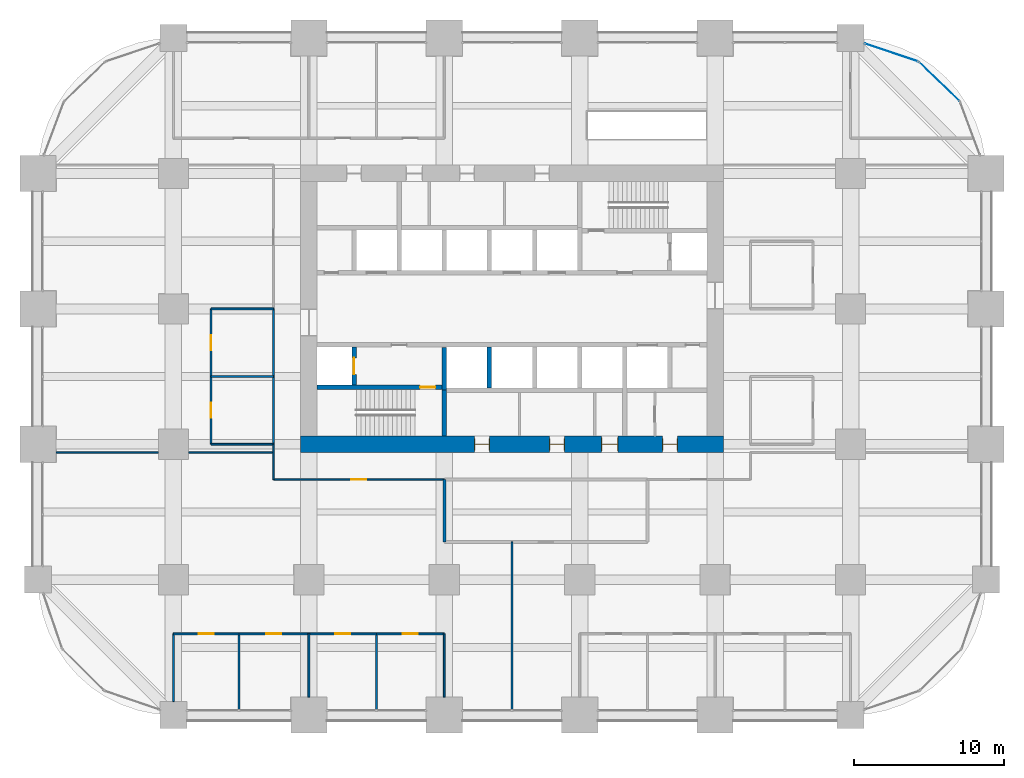
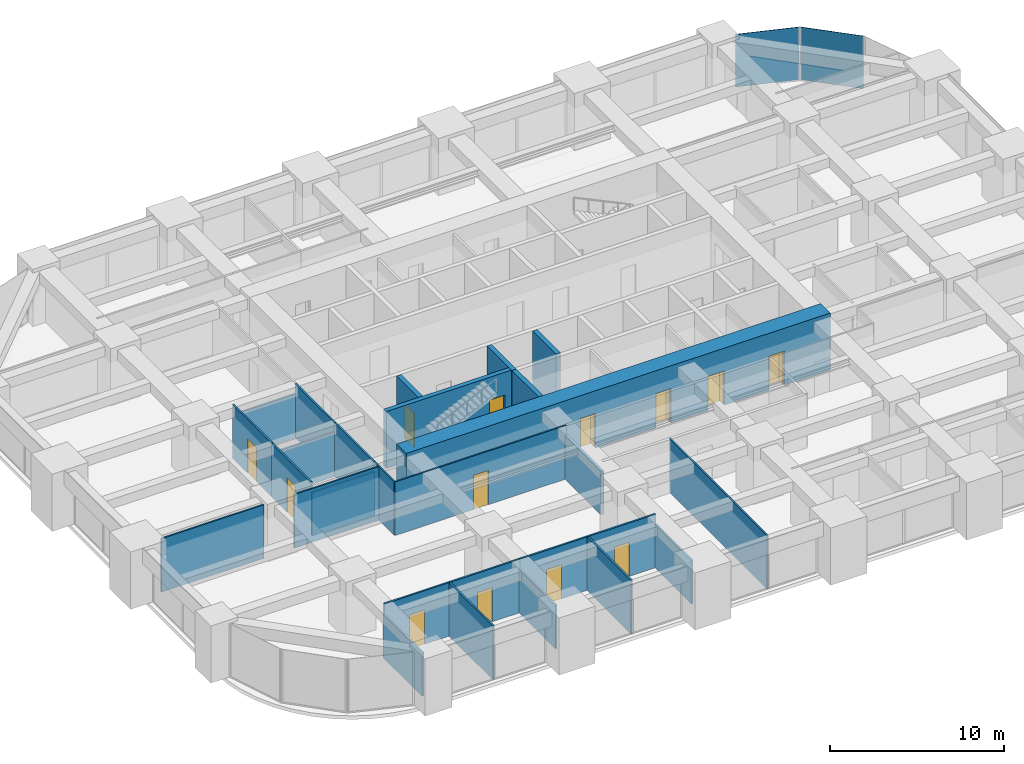
# One storey, part 36 of 41: 28 walls, 13 doors, 2 plates, 13 openings, 2 elements without a shape of their own.
"""IFC4 building model written with IfcOpenShell, lengths in metres."""

import ifcopenshell
import ifcopenshell.guid

model = None  # the IFC model being written
_history = None  # IfcOwnerHistory: only IFC2X3 demands one
_inside = {}  # id of a spatial element -> (the spatial element, [elements in it])
_under = {}  # id of a project, library or spatial element -> (it, [spatial elements below it])
_declared = {}  # id of a project -> (the project, [libraries it declares])
_typed = {}  # id of a type object -> (the type object, [elements of that type])
_made_of = {}  # id of a material, layer set ... -> (it, [elements and type objects made of it])


def new_model(schema):
    """Start an empty IFC model of exactly this schema.

    Asked for "IFC4X3", IfcOpenShell would pick the latest addendum, in which some entities
    have other attributes; the version numbers below select the first issue.
    IFC2X3 requires an IfcOwnerHistory on every rooted entity: one is made here for all.
    """
    global model, _history
    if schema == "IFC4X3":
        model = ifcopenshell.file(schema_version=(4, 3, 0, 0))
    else:
        model = ifcopenshell.file(schema=schema)
    _inside.clear()
    _under.clear()
    _declared.clear()
    _typed.clear()
    _made_of.clear()
    _history = None
    if model.schema == "IFC2X3":
        org = make("IfcOrganization", Name="unknown")
        user = make(
            "IfcPersonAndOrganization",
            ThePerson=make("IfcPerson", FamilyName="unknown"),
            TheOrganization=org,
        )
        app = make(
            "IfcApplication",
            ApplicationDeveloper=org,
            Version="unknown",
            ApplicationFullName="unknown",
            ApplicationIdentifier="unknown",
        )
        _history = make(
            "IfcOwnerHistory",
            OwningUser=user,
            OwningApplication=app,
            ChangeAction="ADDED",
            CreationDate=0,
        )
    return model


def make(cls, **values):
    """One entity of the class cls with the attributes given. An attribute that is None is left unset."""
    return model.create_entity(
        cls, **{name: value for name, value in values.items() if value is not None}
    )


def rooted(cls, **values):
    """An entity with a GlobalId (a new one), such as an element, a storey or a relation."""
    return make(cls, GlobalId=ifcopenshell.guid.new(), OwnerHistory=_history, **values)


def si_unit(unit_type, name, prefix=None):
    """IfcSIUnit, for example si_unit("LENGTHUNIT", "METRE", prefix="MILLI")."""
    return make("IfcSIUnit", UnitType=unit_type, Prefix=prefix, Name=name)


def assignment(units):
    """IfcUnitAssignment: the units of a project."""
    return None if units is None else make("IfcUnitAssignment", Units=units)


def point(xyz):
    """IfcCartesianPoint."""
    return None if xyz is None else make("IfcCartesianPoint", Coordinates=xyz)


def direction(xyz):
    """IfcDirection."""
    return None if xyz is None else make("IfcDirection", DirectionRatios=xyz)


def frame(location, z_axis=None, x_axis=None):
    """IfcAxis2Placement3D, a coordinate frame: its origin and axes. An axis left out is left unset."""
    return make(
        "IfcAxis2Placement3D",
        Location=point(location),
        Axis=direction(z_axis),
        RefDirection=direction(x_axis),
    )


def frame_2d(location, x_axis=None):
    """IfcAxis2Placement2D, a coordinate frame in the plane: its origin and x axis."""
    return make(
        "IfcAxis2Placement2D", Location=point(location), RefDirection=direction(x_axis)
    )


def origin():
    """The frame at (0, 0, 0) with its axes left unset."""
    return frame((0.0, 0.0, 0.0))


def origin_2d():
    """The frame at (0, 0) in the plane with its x axis left unset."""
    return frame_2d((0.0, 0.0))


def place(relative_to, where):
    """IfcLocalPlacement: puts the frame where relative to a parent placement (None: the world)."""
    return make(
        "IfcLocalPlacement", PlacementRelTo=relative_to, RelativePlacement=where
    )


def context(
    kind, dimensions, precision=None, world=None, true_north=None, identifier=None
):
    """IfcGeometricRepresentationContext, for example the 3D "Model" context."""
    return make(
        "IfcGeometricRepresentationContext",
        ContextIdentifier=identifier,
        ContextType=kind,
        CoordinateSpaceDimension=dimensions,
        Precision=precision,
        WorldCoordinateSystem=world,
        TrueNorth=true_north,
    )


def subcontext(parent, identifier, kind, view, scale=None):
    """IfcGeometricRepresentationSubContext, for example "Body" below "Model"."""
    return make(
        "IfcGeometricRepresentationSubContext",
        ContextIdentifier=identifier,
        ContextType=kind,
        ParentContext=parent,
        TargetScale=scale,
        TargetView=view,
    )


def project(units=None, contexts=None):
    """IfcProject with its units and contexts."""
    return rooted(
        "IfcProject",
        Name="project",
        RepresentationContexts=contexts,
        UnitsInContext=assignment(units),
    )


def spatial(cls, under=None, at=None, **own):
    """A site, building, storey or space (cls), placed at a placement, below another one or the project."""
    s = rooted(cls, ObjectPlacement=at, **own)
    if under is not None:
        _under.setdefault(under.id(), (under, []))[1].append(s)
    return s


def profile(cls, at=None, kind="AREA", **sizes):
    """A parametric profile (cls). Its sizes go by their IFC names, for example OverallWidth=200.0."""
    return make(cls, ProfileType=kind, Position=at, **sizes)


def rectangle(**sizes):
    """IfcRectangleProfileDef."""
    return profile("IfcRectangleProfileDef", **sizes)


def extrude(swept, where, along, depth):
    """IfcExtrudedAreaSolid: the profile swept, set in the frame where, extruded along a direction by depth."""
    return make(
        "IfcExtrudedAreaSolid",
        SweptArea=swept,
        Position=where,
        ExtrudedDirection=direction(along),
        Depth=depth,
    )


def shape(context_of_items, identifier, shape_type, items):
    """IfcShapeRepresentation: the items that make up one representation, for example the "Body"."""
    return make(
        "IfcShapeRepresentation",
        ContextOfItems=context_of_items,
        RepresentationIdentifier=identifier,
        RepresentationType=shape_type,
        Items=items,
    )


def material(Name=None, Category=None):
    """IfcMaterial."""
    return make("IfcMaterial", Name=Name, Category=Category)


def layer(
    of_material, thickness, ventilated=None, Name=None, Category=None, Priority=None
):
    """IfcMaterialLayer: one layer of a wall or slab, of a material (None: an air gap)."""
    return make(
        "IfcMaterialLayer",
        Material=of_material,
        LayerThickness=thickness,
        IsVentilated=ventilated,
        Name=Name,
        Category=Category,
        Priority=Priority,
    )


def layer_set(layers, Name=None):
    """IfcMaterialLayerSet."""
    return make("IfcMaterialLayerSet", MaterialLayers=layers, LayerSetName=Name)


def made_of(thing, what):
    """Note that an element or type object is made of a material, layer set ...; save() writes the relation."""
    if what is not None:
        _made_of.setdefault(what.id(), (what, []))[1].append(thing)
    return thing


def type_object(cls, material=None, **own):
    """A type object (cls), such as IfcWallType, which elements share."""
    return made_of(rooted(cls, **own), material)


def element(
    cls,
    number,
    at=None,
    inside=None,
    cuts=None,
    type_object=None,
    material=None,
    context=None,
    identifier="Body",
    shape_type=None,
    held_by="IfcProductDefinitionShape",
    body=None,
    shapes=None,
    **own,
):
    """One element of the class cls, such as IfcWall. Its Tag is "e" and its number.

    at: its placement. inside: the storey or other place that contains it. cuts: it is an
    opening in that element (IfcRelVoidsElement). A single representation is given by context,
    identifier, shape_type and body (its items); several are given by shapes. held_by: the class
    of the entity that holds the representations. save() writes the other relations.
    """
    e = rooted(cls, Tag="e%d" % number, ObjectPlacement=at, **own)
    if body is not None:
        shapes = [shape(context, identifier, shape_type, body)]
    if shapes is not None:
        e.Representation = make(held_by, Representations=shapes)
    if inside is not None:
        _inside.setdefault(inside.id(), (inside, []))[1].append(e)
    if cuts is not None:
        rooted(
            "IfcRelVoidsElement", RelatingBuildingElement=cuts, RelatedOpeningElement=e
        )
    if type_object is not None:
        _typed.setdefault(type_object.id(), (type_object, []))[1].append(e)
    return made_of(e, material)


def fill(opening, filler):
    """IfcRelFillsElement: the door or window that sits in an opening."""
    return rooted(
        "IfcRelFillsElement",
        RelatingOpeningElement=opening,
        RelatedBuildingElement=filler,
    )


def aggregate(whole, parts):
    """IfcRelAggregates: a whole, such as a stair, and the parts it consists of."""
    return rooted("IfcRelAggregates", RelatingObject=whole, RelatedObjects=parts)


def save(model, path):
    """Write the relations noted so far, then the file.

    IfcRelAggregates (storeys below a building ...), IfcRelContainedInSpatialStructure (elements
    in a storey), IfcRelDefinesByType, IfcRelAssociatesMaterial and IfcRelDeclares: one each for
    every whole, place, type object, material and project.
    """
    for whole, parts in _under.values():
        aggregate(whole, parts)
    for where, things in _inside.values():
        rooted(
            "IfcRelContainedInSpatialStructure",
            RelatedElements=things,
            RelatingStructure=where,
        )
    for kind, things in _typed.values():
        rooted("IfcRelDefinesByType", RelatedObjects=things, RelatingType=kind)
    for what, things in _made_of.values():
        rooted("IfcRelAssociatesMaterial", RelatedObjects=things, RelatingMaterial=what)
    for by, libraries in _declared.values():
        rooted("IfcRelDeclares", RelatingContext=by, RelatedDefinitions=libraries)
    model.write(path)


model = new_model("IFC4")

# Units and contexts
model_context = context("Model", 3, precision=1e-05, world=origin(), true_north=direction((0.0, 1.0)))
body_context = subcontext(model_context, "Body", "Model", "MODEL_VIEW")
ifc_project = project(units=[si_unit("LENGTHUNIT", "METRE"), si_unit("AREAUNIT", "SQUARE_METRE"), si_unit("VOLUMEUNIT", "CUBIC_METRE"), si_unit("PLANEANGLEUNIT", "RADIAN"), si_unit("MASSUNIT", "GRAM", prefix="KILO")], contexts=[model_context])

# Site, building, storey
site_placement = place(None, origin())
site = spatial("IfcSite", under=ifc_project, at=site_placement, CompositionType="ELEMENT")
building_placement = place(site_placement, origin())
building = spatial("IfcBuilding", under=site, at=building_placement, Name="Zorevar Civic Tower", CompositionType="ELEMENT")
storey_placement = place(building_placement, frame((0.0, 0.0, 101.0)))
storey = spatial("IfcBuildingStorey", under=building, at=storey_placement, Name="L24", CompositionType="ELEMENT", Elevation=101.0)

# Curtain wall, plate
ifc_material_1 = material(Name="Dark grey solar-control glass in black aluminium frame", Category="aluminium")
curtain_wall_type = type_object("IfcCurtainWallType", Name="Curtain wall CW3 mid zone", PredefinedType="NOTDEFINED", material=ifc_material_1)
curtain_wall_1_placement = place(storey_placement, origin())
curtain_wall_1 = element("IfcCurtainWall", 1, at=curtain_wall_1_placement, inside=storey, type_object=curtain_wall_type, Name="CW3 L24", PredefinedType="NOTDEFINED")
ifc_material_2 = material(Name="Dark grey solar-control glass", Category="glass")
ifc_layer_1 = layer(ifc_material_2, 0.030029296875)
ifc_layer_set_1 = layer_set([ifc_layer_1], Name="CW3 panel 30")
plate_type = type_object("IfcPlateType", Name="CW3 panel 30", PredefinedType="CURTAIN_PANEL", material=ifc_layer_set_1)
plate_1_placement = place(storey_placement, frame((59.896484375, 42.10498046875, 0.06005859375), z_axis=(0.0, 0.0, 1.0), x_axis=(-0.719281160023, 0.694719089155, 0.0)))
plate_1 = element("IfcPlate", 2, at=plate_1_placement, type_object=plate_type, Name="CW3 panel 1.1", PredefinedType="CURTAIN_PANEL", context=body_context, shape_type="SweptSolid", body=[
    extrude(rectangle(XDim=3.7021484375, YDim=0.030029296875, at=origin_2d()), origin(), (0.0, 0.0, 1.0), 3.68994140625),
])
aggregate(curtain_wall_1, [plate_1])

curtain_wall_2_placement = place(storey_placement, origin())
curtain_wall_2 = element("IfcCurtainWall", 3, at=curtain_wall_2_placement, inside=storey, type_object=curtain_wall_type, Name="CW3 L24", PredefinedType="NOTDEFINED")
plate_2_placement = place(storey_placement, frame((56.7109375, 44.04296875, 0.06005859375), z_axis=(0.0, 0.0, 1.0), x_axis=(-0.947615765406, 0.319412525043, 0.0)))
plate_2 = element("IfcPlate", 4, at=plate_2_placement, type_object=plate_type, Name="CW3 panel 1.1", PredefinedType="CURTAIN_PANEL", context=body_context, shape_type="SweptSolid", body=[
    extrude(rectangle(XDim=3.7021484375, YDim=0.030029296875, at=origin_2d()), origin(), (0.0, 0.0, 1.0), 3.68994140625),
])
aggregate(curtain_wall_2, [plate_2])

# Wall
ifc_material_3 = material(Name="Concrete blockwork", Category="masonry")
ifc_layer_2 = layer(ifc_material_3, 0.199951171875)
ifc_layer_set_2 = layer_set([ifc_layer_2], Name="Blockwork wall 200")
wall_type_1 = type_object("IfcWallType", Name="Blockwork wall 200", PredefinedType="SOLIDWALL", material=ifc_layer_set_2)
wall_1_placement = place(storey_placement, frame((27.0, 11.5, 0.0), z_axis=(0.0, 0.0, 1.0), x_axis=(0.0, 1.0, 0.0)))
element("IfcWall", 5, at=wall_1_placement, inside=storey, type_object=wall_type_1, Name="Blockwork wall 200 L24", PredefinedType="SOLIDWALL", context=body_context, shape_type="SweptSolid", body=[
    extrude(rectangle(XDim=4.14990234375, YDim=0.199951171875, at=frame_2d((2.074951171875, 0.0))), origin(), (0.0, 0.0, 1.0), 3.050048828125),
])

# Wall, openings, doors
ifc_material_4 = material(Name="Concrete C50/60", Category="concrete")
ifc_layer_3 = layer(ifc_material_4, 1.10009765625)
ifc_layer_set_3 = layer_set([ifc_layer_3], Name="Core wall 1100")
wall_type_2 = type_object("IfcWallType", Name="Core wall 1100", PredefinedType="SHEAR", material=ifc_layer_set_3)
wall_2_placement = place(storey_placement, frame((17.449951171875, 18.0, 0.0), z_axis=(0.0, 0.0, 1.0), x_axis=(1.0, 0.0, 0.0)))
wall_2 = element("IfcWall", 6, at=wall_2_placement, inside=storey, type_object=wall_type_2, Name="Core wall S L24", PredefinedType="SHEAR", context=body_context, shape_type="SweptSolid", body=[
    extrude(rectangle(XDim=28.10009765625, YDim=1.10009765625, at=frame_2d((14.050048828125, 0.0))), origin(), (0.0, 0.0, 1.0), 4.0),
])
opening_1_placement = place(wall_2_placement, frame((11.550048828125, 0.0, 0.0)))
opening_1 = element("IfcOpeningElement", 7, at=opening_1_placement, cuts=wall_2, Name="Opening L24.03", PredefinedType="OPENING", context=body_context, shape_type="SweptSolid", body=[
    extrude(rectangle(XDim=1.0, YDim=2.39990234375, at=frame_2d((0.5, 1.199951171875))), frame((0.0, 0.56005859375, 0.0), z_axis=(0.0, -1.0, 0.0), x_axis=(1.0, 0.0, 0.0)), (0.0, 0.0, 1.0), 1.1201171875),
])
opening_2_placement = place(wall_2_placement, frame((16.550048828125, 0.0, 0.0)))
opening_2 = element("IfcOpeningElement", 8, at=opening_2_placement, cuts=wall_2, Name="Opening L24.04", PredefinedType="OPENING", context=body_context, shape_type="SweptSolid", body=[
    extrude(rectangle(XDim=1.0, YDim=2.39990234375, at=frame_2d((0.5, 1.199951171875))), frame((0.0, 0.56005859375, 0.0), z_axis=(0.0, -1.0, 0.0), x_axis=(1.0, 0.0, 0.0)), (0.0, 0.0, 1.0), 1.1201171875),
])
opening_3_placement = place(wall_2_placement, frame((20.0, 0.0, 0.0)))
opening_3 = element("IfcOpeningElement", 9, at=opening_3_placement, cuts=wall_2, Name="Opening L24.05", PredefinedType="OPENING", context=body_context, shape_type="SweptSolid", body=[
    extrude(rectangle(XDim=1.10009765625, YDim=2.39990234375, at=frame_2d((0.550048828125, 1.199951171875))), frame((0.0, 0.56005859375, 0.0), z_axis=(0.0, -1.0, 0.0), x_axis=(1.0, 0.0, 0.0)), (0.0, 0.0, 1.0), 1.1201171875),
])
opening_4_placement = place(wall_2_placement, frame((24.050048828125, 0.0, 0.0)))
opening_4 = element("IfcOpeningElement", 10, at=opening_4_placement, cuts=wall_2, Name="Opening L24.06", PredefinedType="OPENING", context=body_context, shape_type="SweptSolid", body=[
    extrude(rectangle(XDim=1.0, YDim=2.39990234375, at=frame_2d((0.5, 1.199951171875))), frame((0.0, 0.56005859375, 0.0), z_axis=(0.0, -1.0, 0.0), x_axis=(1.0, 0.0, 0.0)), (0.0, 0.0, 1.0), 1.1201171875),
])
ifc_material_5 = material(Name="Timber door set", Category="wood")
door_type_1 = type_object("IfcDoorType", Name="Door D1 1000x2400", OperationType="SINGLE_SWING_LEFT", PredefinedType="DOOR", material=ifc_material_5)
door_1_placement = place(opening_1_placement, origin())
door_1 = element("IfcDoor", 11, at=door_1_placement, inside=storey, type_object=door_type_1, Name="Door L24 02", OperationType="SINGLE_SWING_RIGHT", OverallHeight=2.39990234375, OverallWidth=1.0, PredefinedType="DOOR", context=body_context, shape_type="SweptSolid", body=[
    extrude(rectangle(XDim=1.0, YDim=2.39990234375, at=frame_2d((0.5, 1.199951171875))), frame((0.0, 0.02490234375, 0.0), z_axis=(0.0, -1.0, 0.0), x_axis=(1.0, 0.0, 0.0)), (0.0, 0.0, 1.0), 0.050048828125),
    extrude(rectangle(XDim=0.04, YDim=2.39990234375, at=frame_2d((0.02001953125, 1.199951171875))), frame((0.0, 0.39990234375, 0.0), z_axis=(0.0, -1.0, 0.0), x_axis=(1.0, 0.0, 0.0)), (0.0, 0.0, 1.0), 0.800048828125),
    extrude(rectangle(XDim=0.04, YDim=2.39990234375, at=frame_2d((0.97998046875, 1.199951171875))), frame((0.0, 0.39990234375, 0.0), z_axis=(0.0, -1.0, 0.0), x_axis=(1.0, 0.0, 0.0)), (0.0, 0.0, 1.0), 0.800048828125),
    extrude(rectangle(XDim=1.0, YDim=0.04, at=frame_2d((0.5, 2.3798828125))), frame((0.0, 0.39990234375, 0.0), z_axis=(0.0, -1.0, 0.0), x_axis=(1.0, 0.0, 0.0)), (0.0, 0.0, 1.0), 0.800048828125),
])
fill(opening_1, door_1)
door_2_placement = place(opening_2_placement, origin())
door_2 = element("IfcDoor", 12, at=door_2_placement, inside=storey, type_object=door_type_1, Name="Door L24 03", OperationType="SINGLE_SWING_LEFT", OverallHeight=2.39990234375, OverallWidth=1.0, PredefinedType="DOOR", context=body_context, shape_type="SweptSolid", body=[
    extrude(rectangle(XDim=1.0, YDim=2.39990234375, at=frame_2d((0.5, 1.199951171875))), frame((0.0, 0.02490234375, 0.0), z_axis=(0.0, -1.0, 0.0), x_axis=(1.0, 0.0, 0.0)), (0.0, 0.0, 1.0), 0.050048828125),
    extrude(rectangle(XDim=0.04, YDim=2.39990234375, at=frame_2d((0.02001953125, 1.199951171875))), frame((0.0, 0.39990234375, 0.0), z_axis=(0.0, -1.0, 0.0), x_axis=(1.0, 0.0, 0.0)), (0.0, 0.0, 1.0), 0.800048828125),
    extrude(rectangle(XDim=0.04, YDim=2.39990234375, at=frame_2d((0.97998046875, 1.199951171875))), frame((0.0, 0.39990234375, 0.0), z_axis=(0.0, -1.0, 0.0), x_axis=(1.0, 0.0, 0.0)), (0.0, 0.0, 1.0), 0.800048828125),
    extrude(rectangle(XDim=1.0, YDim=0.04, at=frame_2d((0.5, 2.3798828125))), frame((0.0, 0.39990234375, 0.0), z_axis=(0.0, -1.0, 0.0), x_axis=(1.0, 0.0, 0.0)), (0.0, 0.0, 1.0), 0.800048828125),
])
fill(opening_2, door_2)
door_3_placement = place(opening_4_placement, origin())
door_3 = element("IfcDoor", 13, at=door_3_placement, inside=storey, type_object=door_type_1, Name="Door L24 05", OperationType="SINGLE_SWING_LEFT", OverallHeight=2.39990234375, OverallWidth=1.0, PredefinedType="DOOR", context=body_context, shape_type="SweptSolid", body=[
    extrude(rectangle(XDim=1.0, YDim=2.39990234375, at=frame_2d((0.5, 1.199951171875))), frame((0.0, 0.02490234375, 0.0), z_axis=(0.0, -1.0, 0.0), x_axis=(1.0, 0.0, 0.0)), (0.0, 0.0, 1.0), 0.050048828125),
    extrude(rectangle(XDim=0.04, YDim=2.39990234375, at=frame_2d((0.02001953125, 1.199951171875))), frame((0.0, 0.39990234375, 0.0), z_axis=(0.0, -1.0, 0.0), x_axis=(1.0, 0.0, 0.0)), (0.0, 0.0, 1.0), 0.800048828125),
    extrude(rectangle(XDim=0.04, YDim=2.39990234375, at=frame_2d((0.97998046875, 1.199951171875))), frame((0.0, 0.39990234375, 0.0), z_axis=(0.0, -1.0, 0.0), x_axis=(1.0, 0.0, 0.0)), (0.0, 0.0, 1.0), 0.800048828125),
    extrude(rectangle(XDim=1.0, YDim=0.04, at=frame_2d((0.5, 2.3798828125))), frame((0.0, 0.39990234375, 0.0), z_axis=(0.0, -1.0, 0.0), x_axis=(1.0, 0.0, 0.0)), (0.0, 0.0, 1.0), 0.800048828125),
])
fill(opening_4, door_3)
ifc_material_6 = material(Name="Timber door set", Category="wood")
door_type_2 = type_object("IfcDoorType", Name="Door D5 1100x2400", OperationType="SINGLE_SWING_LEFT", PredefinedType="DOOR", material=ifc_material_6)
door_4_placement = place(opening_3_placement, origin())
door_4 = element("IfcDoor", 14, at=door_4_placement, inside=storey, type_object=door_type_2, Name="Door L24 04", OperationType="SINGLE_SWING_LEFT", OverallHeight=2.39990234375, OverallWidth=1.10009765625, PredefinedType="DOOR", context=body_context, shape_type="SweptSolid", body=[
    extrude(rectangle(XDim=1.10009765625, YDim=2.39990234375, at=frame_2d((0.550048828125, 1.199951171875))), frame((0.0, 0.02490234375, 0.0), z_axis=(0.0, -1.0, 0.0), x_axis=(1.0, 0.0, 0.0)), (0.0, 0.0, 1.0), 0.050048828125),
    extrude(rectangle(XDim=0.04, YDim=2.39990234375, at=frame_2d((0.02001953125, 1.199951171875))), frame((0.0, 0.43994140625, 0.0), z_axis=(0.0, -1.0, 0.0), x_axis=(1.0, 0.0, 0.0)), (0.0, 0.0, 1.0), 0.880126953125),
    extrude(rectangle(XDim=0.04, YDim=2.39990234375, at=frame_2d((1.080078125, 1.199951171875))), frame((0.0, 0.43994140625, 0.0), z_axis=(0.0, -1.0, 0.0), x_axis=(1.0, 0.0, 0.0)), (0.0, 0.0, 1.0), 0.880126953125),
    extrude(rectangle(XDim=1.10009765625, YDim=0.04, at=frame_2d((0.550048828125, 2.3798828125))), frame((0.0, 0.43994140625, 0.0), z_axis=(0.0, -1.0, 0.0), x_axis=(1.0, 0.0, 0.0)), (0.0, 0.0, 1.0), 0.880126953125),
])
fill(opening_3, door_4)

# Wall, opening, door
ifc_material_7 = material(Name="Laminated glass in black aluminium frame", Category="aluminium")
ifc_layer_4 = layer(ifc_material_7, 0.10009765625)
ifc_layer_set_4 = layer_set([ifc_layer_4], Name="Glazed partition 100")
wall_type_3 = type_object("IfcWallType", Name="Glazed partition 100", PredefinedType="PARTITIONING", material=ifc_layer_set_4)
wall_3_placement = place(storey_placement, frame((15.64990234375, 15.64990234375, 0.0), z_axis=(0.0, 0.0, 1.0), x_axis=(1.0, 0.0, 0.0)))
wall_3 = element("IfcWall", 15, at=wall_3_placement, inside=storey, type_object=wall_type_3, Name="Glazed partition 100 L24", PredefinedType="PARTITIONING", context=body_context, shape_type="SweptSolid", body=[
    extrude(rectangle(XDim=11.35009765625, YDim=0.10009765625, at=frame_2d((5.675048828125, 0.0))), origin(), (0.0, 0.0, 1.0), 3.75),
])
opening_5_placement = place(wall_3_placement, frame((5.175048828125, 0.0, 0.0)))
opening_5 = element("IfcOpeningElement", 16, at=opening_5_placement, cuts=wall_3, Name="Opening L24.26", PredefinedType="OPENING", context=body_context, shape_type="SweptSolid", body=[
    extrude(rectangle(XDim=1.0, YDim=2.39990234375, at=frame_2d((0.5, 1.199951171875))), frame((0.0, 0.06005859375, 0.0), z_axis=(0.0, -1.0, 0.0), x_axis=(1.0, 0.0, 0.0)), (0.0, 0.0, 1.0), 0.1201171875),
])
ifc_material_8 = material(Name="Timber door set", Category="wood")
door_type_3 = type_object("IfcDoorType", Name="Glazed door GD1 1000x2400", OperationType="SINGLE_SWING_LEFT", PredefinedType="DOOR", material=ifc_material_8)
door_5_placement = place(opening_5_placement, origin())
door_5 = element("IfcDoor", 17, at=door_5_placement, inside=storey, type_object=door_type_3, Name="Door L24 D1", OperationType="SINGLE_SWING_RIGHT", OverallHeight=2.39990234375, OverallWidth=1.0, PredefinedType="DOOR", context=body_context, shape_type="SweptSolid", body=[
    extrude(rectangle(XDim=1.0, YDim=2.39990234375, at=frame_2d((0.5, 1.199951171875))), frame((0.0, 0.02001953125, 0.0), z_axis=(0.0, -1.0, 0.0), x_axis=(1.0, 0.0, 0.0)), (0.0, 0.0, 1.0), 0.0400390625),
])
fill(opening_5, door_5)

# Walls
wall_4_placement = place(storey_placement, frame((1.199951171875, 17.449951171875, 0.0), z_axis=(0.0, 0.0, 1.0), x_axis=(1.0, 0.0, 0.0)))
element("IfcWall", 18, at=wall_4_placement, inside=storey, type_object=wall_type_3, Name="Glazed partition 100 L24", PredefinedType="PARTITIONING", context=body_context, shape_type="SweptSolid", body=[
    extrude(rectangle(XDim=6.800048828125, YDim=0.10009765625, at=frame_2d((3.39990234375, 0.0))), origin(), (0.0, 0.0, 1.0), 3.75),
])
wall_5_placement = place(storey_placement, frame((10.0, 17.449951171875, 0.0), z_axis=(0.0, 0.0, 1.0), x_axis=(1.0, 0.0, 0.0)))
element("IfcWall", 19, at=wall_5_placement, inside=storey, type_object=wall_type_3, Name="Glazed partition 100 L24", PredefinedType="PARTITIONING", context=body_context, shape_type="SweptSolid", body=[
    extrude(rectangle(XDim=5.64990234375, YDim=0.10009765625, at=frame_2d((2.824951171875, 0.0))), origin(), (0.0, 0.0, 1.0), 3.75),
])
wall_6_placement = place(storey_placement, frame((15.64990234375, 15.64990234375, 0.0), z_axis=(0.0, 0.0, 1.0), x_axis=(0.0, 1.0, 0.0)))
element("IfcWall", 20, at=wall_6_placement, inside=storey, type_object=wall_type_3, Name="Glazed partition 100 L24", PredefinedType="PARTITIONING", context=body_context, shape_type="SweptSolid", body=[
    extrude(rectangle(XDim=2.35009765625, YDim=0.10009765625, at=frame_2d((1.175048828125, 0.0))), origin(), (0.0, 0.0, 1.0), 3.75),
])
wall_7_placement = place(storey_placement, frame((31.5, 0.31005859375, 0.0), z_axis=(0.0, 0.0, 1.0), x_axis=(0.0, 1.0, 0.0)))
element("IfcWall", 21, at=wall_7_placement, inside=storey, type_object=wall_type_3, Name="Glazed partition 100 L24", PredefinedType="PARTITIONING", context=body_context, shape_type="SweptSolid", body=[
    extrude(rectangle(XDim=11.199951171875, YDim=0.10009765625, at=frame_2d((5.60009765625, 0.0))), origin(), (0.0, 0.0, 1.0), 3.75),
])

# Wall, opening, door
ifc_material_9 = material(Name="Concrete C40/50", Category="concrete")
ifc_layer_5 = layer(ifc_material_9, 0.300048828125)
ifc_layer_set_5 = layer_set([ifc_layer_5], Name="Inner core wall 300")
wall_type_4 = type_object("IfcWallType", Name="Inner core wall 300", PredefinedType="SHEAR", material=ifc_layer_set_5)
wall_8_placement = place(storey_placement, frame((18.550048828125, 21.800048828125, 0.0), z_axis=(0.0, 0.0, 1.0), x_axis=(1.0, 0.0, 0.0)))
wall_8 = element("IfcWall", 22, at=wall_8_placement, inside=storey, type_object=wall_type_4, Name="Inner core wall S00 L24", PredefinedType="SHEAR", context=body_context, shape_type="SweptSolid", body=[
    extrude(rectangle(XDim=8.300048828125, YDim=0.300048828125, at=frame_2d((4.14990234375, 0.0))), origin(), (0.0, 0.0, 1.0), 4.0),
])
opening_6_placement = place(wall_8_placement, frame((6.85009765625, 0.0, 0.0)))
opening_6 = element("IfcOpeningElement", 23, at=opening_6_placement, cuts=wall_8, Name="Opening L24.11", PredefinedType="OPENING", context=body_context, shape_type="SweptSolid", body=[
    extrude(rectangle(XDim=1.0, YDim=2.39990234375, at=frame_2d((0.5, 1.199951171875))), frame((0.0, 0.159912109375, 0.0), z_axis=(0.0, -1.0, 0.0), x_axis=(1.0, 0.0, 0.0)), (0.0, 0.0, 1.0), 0.320068359375),
])
ifc_material_10 = material(Name="Steel door set", Category="steel")
door_type_4 = type_object("IfcDoorType", Name="Fire door FD1 1000x2400", OperationType="SINGLE_SWING_LEFT", PredefinedType="DOOR", material=ifc_material_10)
door_6_placement = place(opening_6_placement, origin())
door_6 = element("IfcDoor", 24, at=door_6_placement, inside=storey, type_object=door_type_4, Name="Door L24 10", OperationType="SINGLE_SWING_RIGHT", OverallHeight=2.39990234375, OverallWidth=1.0, PredefinedType="DOOR", context=body_context, shape_type="SweptSolid", body=[
    extrude(rectangle(XDim=1.0, YDim=2.39990234375, at=frame_2d((0.5, 1.199951171875))), frame((0.0, 0.030029296875, 0.0), z_axis=(0.0, -1.0, 0.0), x_axis=(1.0, 0.0, 0.0)), (0.0, 0.0, 1.0), 0.06005859375),
])
fill(opening_6, door_6)

# Wall
wall_9_placement = place(storey_placement, frame((27.0, 18.550048828125, 0.0), z_axis=(0.0, 0.0, 1.0), x_axis=(0.0, 1.0, 0.0)))
element("IfcWall", 25, at=wall_9_placement, inside=storey, type_object=wall_type_4, Name="Inner core wall S01 L24", PredefinedType="SHEAR", context=body_context, shape_type="SweptSolid", body=[
    extrude(rectangle(XDim=3.050048828125, YDim=0.300048828125, at=frame_2d((1.52490234375, 0.0))), origin(), (0.0, 0.0, 1.0), 4.0),
])

# Wall, opening, door
wall_10_placement = place(storey_placement, frame((21.0, 21.949951171875, 0.0), z_axis=(0.0, 0.0, 1.0), x_axis=(0.0, 1.0, 0.0)))
wall_10 = element("IfcWall", 26, at=wall_10_placement, inside=storey, type_object=wall_type_4, Name="Inner core wall S02 L24", PredefinedType="SHEAR", context=body_context, shape_type="SweptSolid", body=[
    extrude(rectangle(XDim=2.5, YDim=0.300048828125, at=frame_2d((1.25, 0.0))), origin(), (0.0, 0.0, 1.0), 4.0),
])
opening_7_placement = place(wall_10_placement, frame((0.699951171875, 0.0, 0.0)))
opening_7 = element("IfcOpeningElement", 27, at=opening_7_placement, cuts=wall_10, Name="Opening L24.FL1", PredefinedType="OPENING", context=body_context, shape_type="SweptSolid", body=[
    extrude(rectangle(XDim=1.10009765625, YDim=2.39990234375, at=frame_2d((0.550048828125, 1.199951171875))), frame((0.0, 0.159912109375, 0.0), z_axis=(0.0, -1.0, 0.0), x_axis=(1.0, 0.0, 0.0)), (0.0, 0.0, 1.0), 0.320068359375),
])
ifc_material_11 = material(Name="Steel door set", Category="steel")
door_type_5 = type_object("IfcDoorType", Name="Firefighting lift landing door LD3 1100x2400", OperationType="DOUBLE_DOOR_SLIDING", PredefinedType="DOOR", material=ifc_material_11)
door_7_placement = place(opening_7_placement, origin())
door_7 = element("IfcDoor", 28, at=door_7_placement, inside=storey, type_object=door_type_5, Name="Landing door FL1 L24", OperationType="DOUBLE_DOOR_SLIDING", OverallHeight=2.39990234375, OverallWidth=1.10009765625, PredefinedType="DOOR", context=body_context, shape_type="SweptSolid", body=[
    extrude(rectangle(XDim=1.10009765625, YDim=2.39990234375, at=frame_2d((0.550048828125, 1.199951171875))), frame((0.0, 0.030029296875, 0.0), z_axis=(0.0, -1.0, 0.0), x_axis=(1.0, 0.0, 0.0)), (0.0, 0.0, 1.0), 0.06005859375),
])
fill(opening_7, door_7)

# Walls
wall_11_placement = place(storey_placement, frame((30.0, 21.75, 0.0), z_axis=(0.0, 0.0, 1.0), x_axis=(0.0, 1.0, 0.0)))
element("IfcWall", 29, at=wall_11_placement, inside=storey, type_object=wall_type_4, Name="Inner core wall S05 L24", PredefinedType="SHEAR", context=body_context, shape_type="SweptSolid", body=[
    extrude(rectangle(XDim=2.699951171875, YDim=0.300048828125, at=frame_2d((1.35009765625, 0.0))), origin(), (0.0, 0.0, 1.0), 4.0),
])
wall_12_placement = place(storey_placement, frame((27.0, 21.60009765625, 0.0), z_axis=(0.0, 0.0, 1.0), x_axis=(0.0, 1.0, 0.0)))
element("IfcWall", 30, at=wall_12_placement, inside=storey, type_object=wall_type_4, Name="Inner core wall S10 L24", PredefinedType="SHEAR", context=body_context, shape_type="SweptSolid", body=[
    extrude(rectangle(XDim=2.849853515625, YDim=0.300048828125, at=frame_2d((1.4248046875, 0.0))), origin(), (0.0, 0.0, 1.0), 4.0),
])

# Wall, opening, door
ifc_material_12 = material(Name="Gypsum board on steel studs", Category="steel")
ifc_layer_6 = layer(ifc_material_12, 0.1201171875)
ifc_layer_set_6 = layer_set([ifc_layer_6], Name="Partition 120")
wall_type_5 = type_object("IfcWallType", Name="Partition 120", PredefinedType="PARTITIONING", material=ifc_layer_set_6)
wall_13_placement = place(storey_placement, frame((9.0, 5.39990234375, 0.0), z_axis=(0.0, 0.0, 1.0), x_axis=(1.0, 0.0, 0.0)))
wall_13 = element("IfcWall", 31, at=wall_13_placement, inside=storey, type_object=wall_type_5, Name="Partition 120 L24", PredefinedType="PARTITIONING", context=body_context, shape_type="SweptSolid", body=[
    extrude(rectangle(XDim=4.35009765625, YDim=0.1201171875, at=frame_2d((2.175048828125, 0.0))), origin(), (0.0, 0.0, 1.0), 3.75),
])
opening_8_placement = place(wall_13_placement, frame((1.675048828125, 0.0, 0.0)))
opening_8 = element("IfcOpeningElement", 32, at=opening_8_placement, cuts=wall_13, Name="Opening L24.17", PredefinedType="OPENING", context=body_context, shape_type="SweptSolid", body=[
    extrude(rectangle(XDim=1.0, YDim=2.39990234375, at=frame_2d((0.5, 1.199951171875))), frame((0.0, 0.070068359375, 0.0), z_axis=(0.0, -1.0, 0.0), x_axis=(1.0, 0.0, 0.0)), (0.0, 0.0, 1.0), 0.14013671875),
])
door_8_placement = place(opening_8_placement, origin())
door_8 = element("IfcDoor", 33, at=door_8_placement, inside=storey, type_object=door_type_1, Name="Door L24 D1", OperationType="SINGLE_SWING_RIGHT", OverallHeight=2.39990234375, OverallWidth=1.0, PredefinedType="DOOR", context=body_context, shape_type="SweptSolid", body=[
    extrude(rectangle(XDim=1.0, YDim=2.39990234375, at=frame_2d((0.5, 1.199951171875))), frame((0.0, 0.02490234375, 0.0), z_axis=(0.0, -1.0, 0.0), x_axis=(1.0, 0.0, 0.0)), (0.0, 0.0, 1.0), 0.050048828125),
])
fill(opening_8, door_8)

wall_14_placement = place(storey_placement, frame((13.35009765625, 5.39990234375, 0.0), z_axis=(0.0, 0.0, 1.0), x_axis=(1.0, 0.0, 0.0)))
wall_14 = element("IfcWall", 34, at=wall_14_placement, inside=storey, type_object=wall_type_5, Name="Partition 120 L24", PredefinedType="PARTITIONING", context=body_context, shape_type="SweptSolid", body=[
    extrude(rectangle(XDim=4.64990234375, YDim=0.1201171875, at=frame_2d((2.324951171875, 0.0))), origin(), (0.0, 0.0, 1.0), 3.75),
])
opening_9_placement = place(wall_14_placement, frame((1.824951171875, 0.0, 0.0)))
opening_9 = element("IfcOpeningElement", 35, at=opening_9_placement, cuts=wall_14, Name="Opening L24.18", PredefinedType="OPENING", context=body_context, shape_type="SweptSolid", body=[
    extrude(rectangle(XDim=1.0, YDim=2.39990234375, at=frame_2d((0.5, 1.199951171875))), frame((0.0, 0.070068359375, 0.0), z_axis=(0.0, -1.0, 0.0), x_axis=(1.0, 0.0, 0.0)), (0.0, 0.0, 1.0), 0.14013671875),
])
door_9_placement = place(opening_9_placement, origin())
door_9 = element("IfcDoor", 36, at=door_9_placement, inside=storey, type_object=door_type_1, Name="Door L24 D1", OperationType="SINGLE_SWING_RIGHT", OverallHeight=2.39990234375, OverallWidth=1.0, PredefinedType="DOOR", context=body_context, shape_type="SweptSolid", body=[
    extrude(rectangle(XDim=1.0, YDim=2.39990234375, at=frame_2d((0.5, 1.199951171875))), frame((0.0, 0.02490234375, 0.0), z_axis=(0.0, -1.0, 0.0), x_axis=(1.0, 0.0, 0.0)), (0.0, 0.0, 1.0), 0.050048828125),
])
fill(opening_9, door_9)

wall_15_placement = place(storey_placement, frame((18.0, 5.39990234375, 0.0), z_axis=(0.0, 0.0, 1.0), x_axis=(1.0, 0.0, 0.0)))
wall_15 = element("IfcWall", 37, at=wall_15_placement, inside=storey, type_object=wall_type_5, Name="Partition 120 L24", PredefinedType="PARTITIONING", context=body_context, shape_type="SweptSolid", body=[
    extrude(rectangle(XDim=4.5, YDim=0.1201171875, at=frame_2d((2.25, 0.0))), origin(), (0.0, 0.0, 1.0), 3.75),
])
opening_10_placement = place(wall_15_placement, frame((1.75, 0.0, 0.0)))
opening_10 = element("IfcOpeningElement", 38, at=opening_10_placement, cuts=wall_15, Name="Opening L24.19", PredefinedType="OPENING", context=body_context, shape_type="SweptSolid", body=[
    extrude(rectangle(XDim=1.0, YDim=2.39990234375, at=frame_2d((0.5, 1.199951171875))), frame((0.0, 0.070068359375, 0.0), z_axis=(0.0, -1.0, 0.0), x_axis=(1.0, 0.0, 0.0)), (0.0, 0.0, 1.0), 0.14013671875),
])
door_10_placement = place(opening_10_placement, origin())
door_10 = element("IfcDoor", 39, at=door_10_placement, inside=storey, type_object=door_type_1, Name="Door L24 D1", OperationType="SINGLE_SWING_LEFT", OverallHeight=2.39990234375, OverallWidth=1.0, PredefinedType="DOOR", context=body_context, shape_type="SweptSolid", body=[
    extrude(rectangle(XDim=1.0, YDim=2.39990234375, at=frame_2d((0.5, 1.199951171875))), frame((0.0, 0.02490234375, 0.0), z_axis=(0.0, -1.0, 0.0), x_axis=(1.0, 0.0, 0.0)), (0.0, 0.0, 1.0), 0.050048828125),
])
fill(opening_10, door_10)

wall_16_placement = place(storey_placement, frame((22.5, 5.39990234375, 0.0), z_axis=(0.0, 0.0, 1.0), x_axis=(1.0, 0.0, 0.0)))
wall_16 = element("IfcWall", 40, at=wall_16_placement, inside=storey, type_object=wall_type_5, Name="Partition 120 L24", PredefinedType="PARTITIONING", context=body_context, shape_type="SweptSolid", body=[
    extrude(rectangle(XDim=4.5, YDim=0.1201171875, at=frame_2d((2.25, 0.0))), origin(), (0.0, 0.0, 1.0), 3.75),
])
opening_11_placement = place(wall_16_placement, frame((1.75, 0.0, 0.0)))
opening_11 = element("IfcOpeningElement", 41, at=opening_11_placement, cuts=wall_16, Name="Opening L24.20", PredefinedType="OPENING", context=body_context, shape_type="SweptSolid", body=[
    extrude(rectangle(XDim=1.0, YDim=2.39990234375, at=frame_2d((0.5, 1.199951171875))), frame((0.0, 0.070068359375, 0.0), z_axis=(0.0, -1.0, 0.0), x_axis=(1.0, 0.0, 0.0)), (0.0, 0.0, 1.0), 0.14013671875),
])
door_11_placement = place(opening_11_placement, origin())
door_11 = element("IfcDoor", 42, at=door_11_placement, inside=storey, type_object=door_type_1, Name="Door L24 D1", OperationType="SINGLE_SWING_LEFT", OverallHeight=2.39990234375, OverallWidth=1.0, PredefinedType="DOOR", context=body_context, shape_type="SweptSolid", body=[
    extrude(rectangle(XDim=1.0, YDim=2.39990234375, at=frame_2d((0.5, 1.199951171875))), frame((0.0, 0.02490234375, 0.0), z_axis=(0.0, -1.0, 0.0), x_axis=(1.0, 0.0, 0.0)), (0.0, 0.0, 1.0), 0.050048828125),
])
fill(opening_11, door_11)

# Walls
wall_17_placement = place(storey_placement, frame((11.5, 18.0, 0.0), z_axis=(0.0, 0.0, 1.0), x_axis=(1.0, 0.0, 0.0)))
element("IfcWall", 43, at=wall_17_placement, inside=storey, type_object=wall_type_5, Name="Partition 120 L24", PredefinedType="PARTITIONING", context=body_context, shape_type="SweptSolid", body=[
    extrude(rectangle(XDim=4.14990234375, YDim=0.1201171875, at=frame_2d((2.074951171875, 0.0))), origin(), (0.0, 0.0, 1.0), 3.050048828125),
])
wall_18_placement = place(storey_placement, frame((11.5, 22.5, 0.0), z_axis=(0.0, 0.0, 1.0), x_axis=(1.0, 0.0, 0.0)))
element("IfcWall", 44, at=wall_18_placement, inside=storey, type_object=wall_type_5, Name="Partition 120 L24", PredefinedType="PARTITIONING", context=body_context, shape_type="SweptSolid", body=[
    extrude(rectangle(XDim=4.14990234375, YDim=0.1201171875, at=frame_2d((2.074951171875, 0.0))), origin(), (0.0, 0.0, 1.0), 3.10009765625),
])
wall_19_placement = place(storey_placement, frame((11.5, 27.0, 0.0), z_axis=(0.0, 0.0, 1.0), x_axis=(1.0, 0.0, 0.0)))
element("IfcWall", 45, at=wall_19_placement, inside=storey, type_object=wall_type_5, Name="Partition 120 L24", PredefinedType="PARTITIONING", context=body_context, shape_type="SweptSolid", body=[
    extrude(rectangle(XDim=4.14990234375, YDim=0.1201171875, at=frame_2d((2.074951171875, 0.0))), origin(), (0.0, 0.0, 1.0), 3.050048828125),
])
wall_20_placement = place(storey_placement, frame((9.0, 0.89990234375, 0.0), z_axis=(0.0, 0.0, 1.0), x_axis=(0.0, 1.0, 0.0)))
element("IfcWall", 46, at=wall_20_placement, inside=storey, type_object=wall_type_5, Name="Partition 120 L24", PredefinedType="PARTITIONING", context=body_context, shape_type="SweptSolid", body=[
    extrude(rectangle(XDim=4.5, YDim=0.1201171875, at=frame_2d((2.25, 0.0))), origin(), (0.0, 0.0, 1.0), 3.050048828125),
])

# Wall, opening, door
wall_21_placement = place(storey_placement, frame((11.5, 18.0, 0.0), z_axis=(0.0, 0.0, 1.0), x_axis=(0.0, 1.0, 0.0)))
wall_21 = element("IfcWall", 47, at=wall_21_placement, inside=storey, type_object=wall_type_5, Name="Partition 120 L24", PredefinedType="PARTITIONING", context=body_context, shape_type="SweptSolid", body=[
    extrude(rectangle(XDim=4.5, YDim=0.1201171875, at=frame_2d((2.25, 0.0))), origin(), (0.0, 0.0, 1.0), 3.75),
])
opening_12_placement = place(wall_21_placement, frame((1.75, 0.0, 0.0)))
opening_12 = element("IfcOpeningElement", 48, at=opening_12_placement, cuts=wall_21, Name="Opening L24.31", PredefinedType="OPENING", context=body_context, shape_type="SweptSolid", body=[
    extrude(rectangle(XDim=1.0, YDim=2.39990234375, at=frame_2d((0.5, 1.199951171875))), frame((0.0, 0.070068359375, 0.0), z_axis=(0.0, -1.0, 0.0), x_axis=(1.0, 0.0, 0.0)), (0.0, 0.0, 1.0), 0.14013671875),
])
door_12_placement = place(opening_12_placement, origin())
door_12 = element("IfcDoor", 49, at=door_12_placement, inside=storey, type_object=door_type_1, Name="Door L24 D1", OperationType="SINGLE_SWING_RIGHT", OverallHeight=2.39990234375, OverallWidth=1.0, PredefinedType="DOOR", context=body_context, shape_type="SweptSolid", body=[
    extrude(rectangle(XDim=1.0, YDim=2.39990234375, at=frame_2d((0.5, 1.199951171875))), frame((0.0, 0.02490234375, 0.0), z_axis=(0.0, -1.0, 0.0), x_axis=(1.0, 0.0, 0.0)), (0.0, 0.0, 1.0), 0.050048828125),
])
fill(opening_12, door_12)

wall_22_placement = place(storey_placement, frame((11.5, 22.5, 0.0), z_axis=(0.0, 0.0, 1.0), x_axis=(0.0, 1.0, 0.0)))
wall_22 = element("IfcWall", 50, at=wall_22_placement, inside=storey, type_object=wall_type_5, Name="Partition 120 L24", PredefinedType="PARTITIONING", context=body_context, shape_type="SweptSolid", body=[
    extrude(rectangle(XDim=4.5, YDim=0.1201171875, at=frame_2d((2.25, 0.0))), origin(), (0.0, 0.0, 1.0), 3.75),
])
opening_13_placement = place(wall_22_placement, frame((1.75, 0.0, 0.0)))
opening_13 = element("IfcOpeningElement", 51, at=opening_13_placement, cuts=wall_22, Name="Opening L24.32", PredefinedType="OPENING", context=body_context, shape_type="SweptSolid", body=[
    extrude(rectangle(XDim=1.0, YDim=2.39990234375, at=frame_2d((0.5, 1.199951171875))), frame((0.0, 0.070068359375, 0.0), z_axis=(0.0, -1.0, 0.0), x_axis=(1.0, 0.0, 0.0)), (0.0, 0.0, 1.0), 0.14013671875),
])
door_13_placement = place(opening_13_placement, origin())
door_13 = element("IfcDoor", 52, at=door_13_placement, inside=storey, type_object=door_type_1, Name="Door L24 D1", OperationType="SINGLE_SWING_RIGHT", OverallHeight=2.39990234375, OverallWidth=1.0, PredefinedType="DOOR", context=body_context, shape_type="SweptSolid", body=[
    extrude(rectangle(XDim=1.0, YDim=2.39990234375, at=frame_2d((0.5, 1.199951171875))), frame((0.0, 0.02490234375, 0.0), z_axis=(0.0, -1.0, 0.0), x_axis=(1.0, 0.0, 0.0)), (0.0, 0.0, 1.0), 0.050048828125),
])
fill(opening_13, door_13)

# Walls
wall_23_placement = place(storey_placement, frame((13.35009765625, 0.31005859375, 0.0), z_axis=(0.0, 0.0, 1.0), x_axis=(0.0, 1.0, 0.0)))
element("IfcWall", 53, at=wall_23_placement, inside=storey, type_object=wall_type_5, Name="Partition 120 L24", PredefinedType="PARTITIONING", context=body_context, shape_type="SweptSolid", body=[
    extrude(rectangle(XDim=5.08984375, YDim=0.1201171875, at=frame_2d((2.544921875, 0.0))), origin(), (0.0, 0.0, 1.0), 3.75),
])
for number, where, z_axis, x_axis, name in (
    (54, (15.64990234375, 18.0, 0.0), (0.0, 0.0, 1.0), (0.0, 1.0, 0.0), "Partition 120 L24"),
    (55, (15.64990234375, 22.5, 0.0), (0.0, 0.0, 1.0), (0.0, 1.0, 0.0), "Partition 120 L24"),
):
    element("IfcWall", number, at=place(storey_placement, frame(where, z_axis=z_axis, x_axis=x_axis)), inside=storey, type_object=wall_type_5, Name=name, PredefinedType="PARTITIONING", context=body_context, shape_type="SweptSolid", body=[
        extrude(rectangle(XDim=4.5, YDim=0.1201171875, at=frame_2d((2.25, 0.0))), origin(), (0.0, 0.0, 1.0), 3.75),
    ])
wall_24_placement = place(storey_placement, frame((18.0, 1.199951171875, 0.0), z_axis=(0.0, 0.0, 1.0), x_axis=(0.0, 1.0, 0.0)))
element("IfcWall", 56, at=wall_24_placement, inside=storey, type_object=wall_type_5, Name="Partition 120 L24", PredefinedType="PARTITIONING", context=body_context, shape_type="SweptSolid", body=[
    extrude(rectangle(XDim=4.199951171875, YDim=0.1201171875, at=frame_2d((2.10009765625, 0.0))), origin(), (0.0, 0.0, 1.0), 3.050048828125),
])
wall_25_placement = place(storey_placement, frame((22.5, 0.31005859375, 0.0), z_axis=(0.0, 0.0, 1.0), x_axis=(0.0, 1.0, 0.0)))
element("IfcWall", 57, at=wall_25_placement, inside=storey, type_object=wall_type_5, Name="Partition 120 L24", PredefinedType="PARTITIONING", context=body_context, shape_type="SweptSolid", body=[
    extrude(rectangle(XDim=5.08984375, YDim=0.1201171875, at=frame_2d((2.544921875, 0.0))), origin(), (0.0, 0.0, 1.0), 3.75),
])
wall_26_placement = place(storey_placement, frame((27.0, 1.199951171875, 0.0), z_axis=(0.0, 0.0, 1.0), x_axis=(0.0, 1.0, 0.0)))
element("IfcWall", 58, at=wall_26_placement, inside=storey, type_object=wall_type_5, Name="Partition 120 L24", PredefinedType="PARTITIONING", context=body_context, shape_type="SweptSolid", body=[
    extrude(rectangle(XDim=4.199951171875, YDim=0.1201171875, at=frame_2d((2.10009765625, 0.0))), origin(), (0.0, 0.0, 1.0), 3.050048828125),
])

save(model, "model.ifc")
